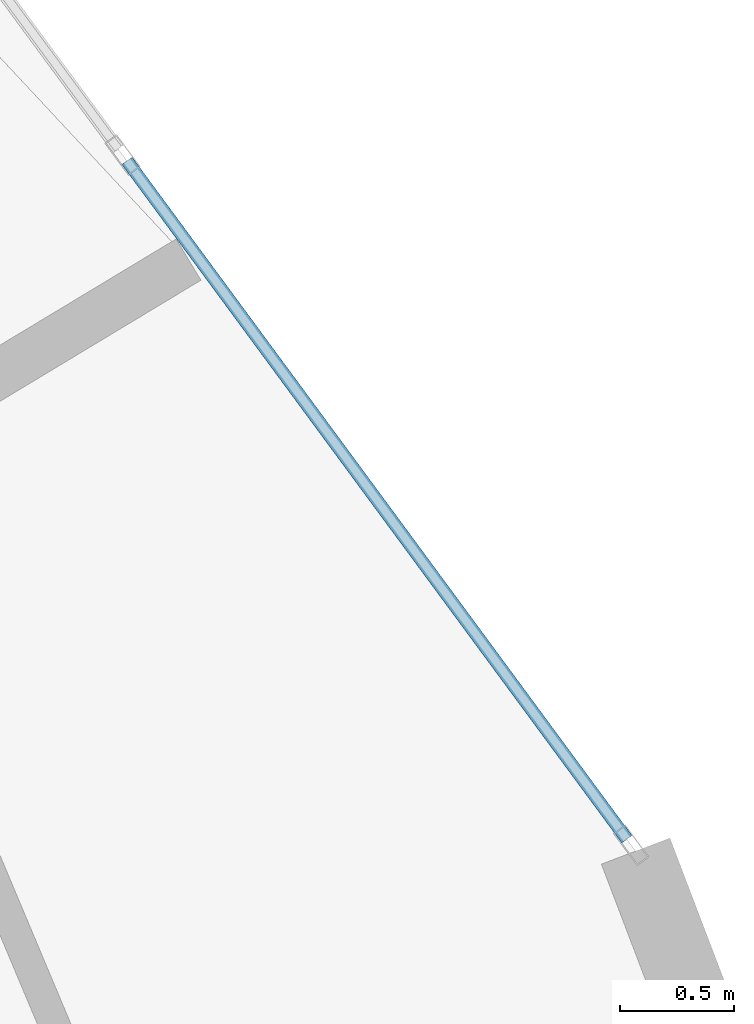
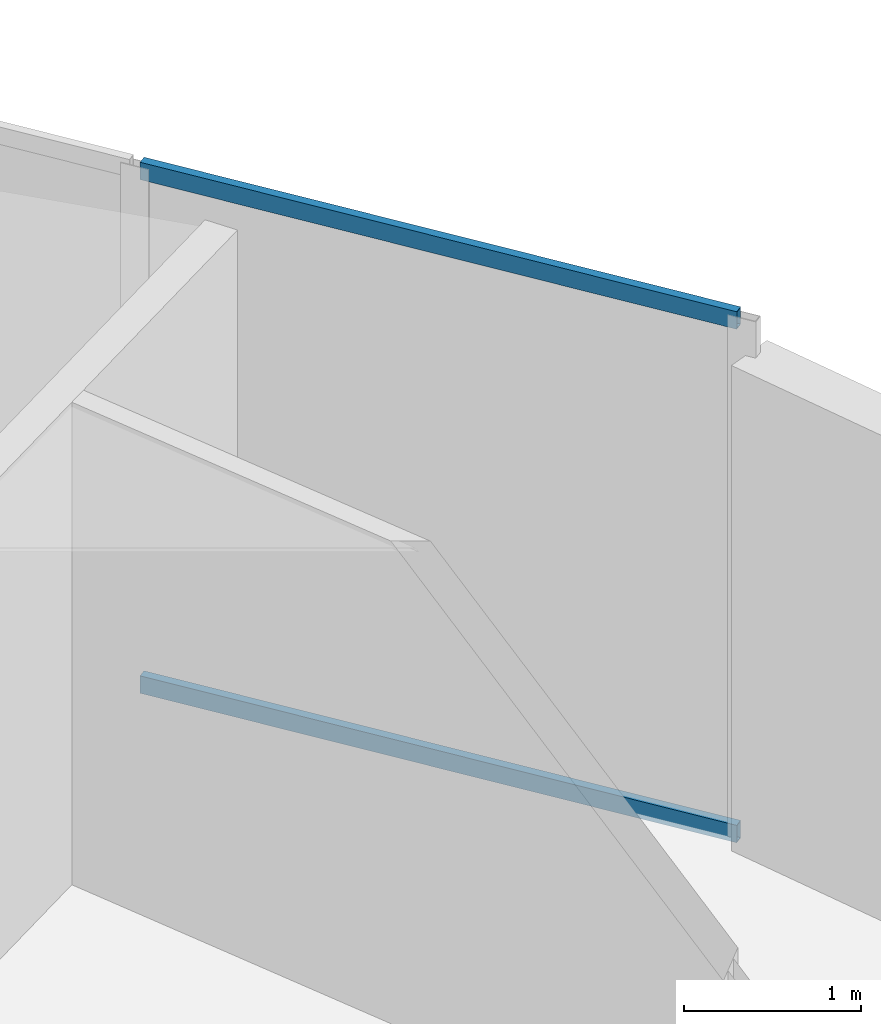
# One storey, part 12 of 22: 2 members, 1 element without a shape of its own.
"""IFC4 building model written with IfcOpenShell, lengths in metres."""

from ifc_helpers import new_model, si_unit, direction, frame, origin, origin_2d, place, context, subcontext, project, spatial, hollow_rectangle, extrude, source, transform, mapped, material, layer, layer_set, material_profile, profile_set, type_object, element, aggregate, save


model = new_model("IFC4")

# Units and contexts
model_context = context("Model", 3, precision=1e-05, world=origin(), true_north=direction((0.0, 1.0)))
body_context = subcontext(model_context, "Body", "Model", "MODEL_VIEW")
ifc_project = project(units=[si_unit("LENGTHUNIT", "METRE"), si_unit("AREAUNIT", "SQUARE_METRE"), si_unit("VOLUMEUNIT", "CUBIC_METRE"), si_unit("PLANEANGLEUNIT", "RADIAN"), si_unit("MASSUNIT", "GRAM", prefix="KILO")], contexts=[model_context])

# Site, building, storey
site_placement = place(None, origin())
site = spatial("IfcSite", under=ifc_project, at=site_placement, CompositionType="ELEMENT")
building_placement = place(site_placement, origin())
building = spatial("IfcBuilding", under=site, at=building_placement, Name="Solvirekh Grand Hotel", CompositionType="ELEMENT")
storey_placement = place(building_placement, frame((0.0, 0.0, 149.39990234375)))
storey = spatial("IfcBuildingStorey", under=building, at=storey_placement, Name="L38", CompositionType="ELEMENT", Elevation=149.39990234375)

# Curtain wall, members
ifc_material = material(Name="Anodized Bronze Aluminium 6063-T6", Category="aluminium")
ifc_layer = layer(ifc_material, 0.175048828125)
ifc_layer_set = layer_set([ifc_layer], Name="Anodized Bronze Aluminium 6063-T6")
curtain_wall_type = type_object("IfcCurtainWallType", Name="CW_Sys3_MidZoneFlushBronzeCW", PredefinedType="NOTDEFINED", material=ifc_layer_set)
curtain_wall_placement = place(storey_placement, origin())
curtain_wall = element("IfcCurtainWall", 1, at=curtain_wall_placement, inside=storey, type_object=curtain_wall_type, Name="L38 unitised bronze-glass curtain wall CW-L38-C05", PredefinedType="NOTDEFINED")
ifc_material_profile = material_profile(ifc_material, hollow_rectangle(XDim=0.054931640625, YDim=0.1201171875, WallThickness=0.00390625, at=origin_2d()), Name="ALU RHS 120X55X4")
ifc_profile_set = profile_set([ifc_material_profile], Name="Anodized Bronze Aluminium 6063-T6")
member_type = type_object("IfcMemberType", Name="CWTransom_Sys3", PredefinedType="USERDEFINED", material=ifc_profile_set)
shared_shape = source(origin(), body_context, "Body", "SweptSolid", [
    extrude(hollow_rectangle(XDim=0.054931640625, YDim=0.1201171875, WallThickness=0.00390625, at=origin_2d()), origin(), (0.0, 0.0, 1.0), 3.681640625),
])
member_1_placement = place(storey_placement, frame((20.181396484375, 8.013427734375, 0.027587890625), z_axis=(-0.59323070563, 0.805032502386, 0.0), x_axis=(-0.805032502386, -0.59323070563, 0.0)))
member_1 = element("IfcMember", 2, at=member_1_placement, type_object=member_type, Name="U03 transom 1.1", ObjectType="TRANSOM", PredefinedType="USERDEFINED", context=body_context, shape_type="MappedRepresentation", body=[
    mapped(shared_shape, transform((0.0, 0.0, 0.0), x_axis=(1.0, 0.0, 0.0), y_axis=(0.0, 1.0, 0.0), z_axis=(0.0, 0.0, 1.0), scale=1.0)),
])
member_2_placement = place(storey_placement, frame((20.181396484375, 8.013427734375, 3.572509765625), z_axis=(-0.59323070563, 0.805032502386, 0.0), x_axis=(-0.805032502386, -0.59323070563, 0.0)))
member_2 = element("IfcMember", 3, at=member_2_placement, type_object=member_type, Name="U03 transom 1.2", ObjectType="TRANSOM", PredefinedType="USERDEFINED", context=body_context, shape_type="MappedRepresentation", body=[
    mapped(shared_shape, transform((0.0, 0.0, 0.0), x_axis=(1.0, 0.0, 0.0), y_axis=(0.0, 1.0, 0.0), z_axis=(0.0, 0.0, 1.0), scale=1.0)),
])
aggregate(curtain_wall, [member_1, member_2])

save(model, "model.ifc")
